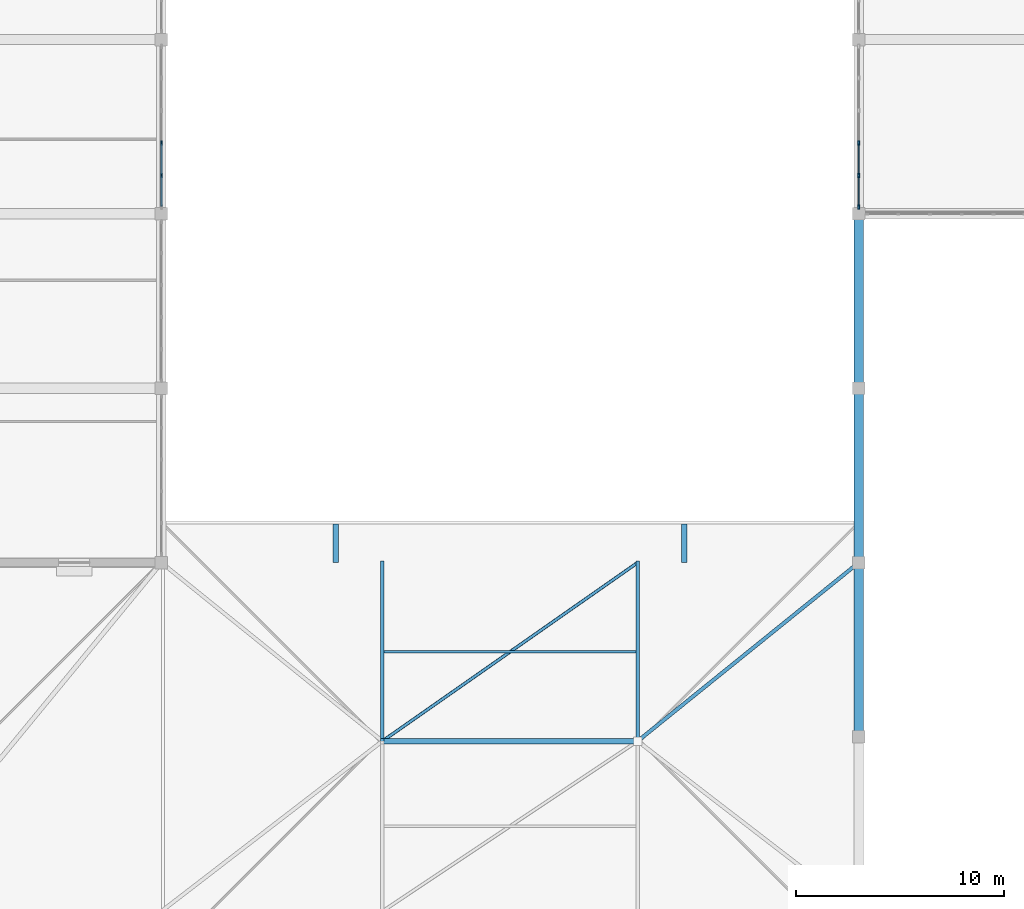
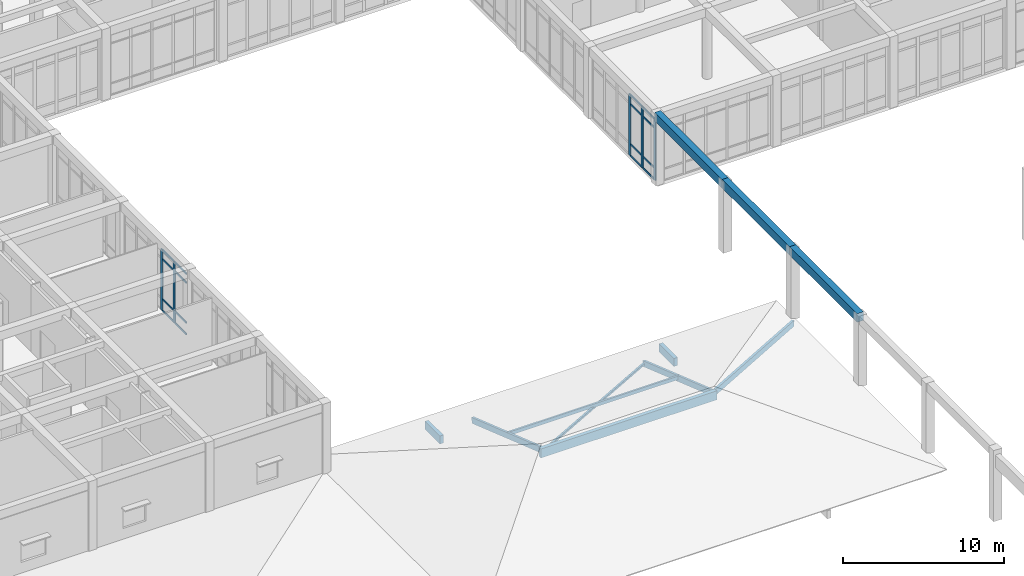
# One storey, part 7 of 89: 26 members, 6 beams, 2 elements without a shape of their own.
"""IFC4 building model written with IfcOpenShell, lengths in metres."""

from ifc_helpers import new_model, si_unit, direction, frame, origin, origin_2d, place, context, subcontext, project, spatial, rectangle, hollow_rectangle, extrude, material, material_profile, profile_set, type_object, element, aggregate, save


model = new_model("IFC4")

# Units and contexts
model_context = context("Model", 3, precision=1e-05, world=origin(), true_north=direction((0.0, 1.0)))
body_context = subcontext(model_context, "Body", "Model", "MODEL_VIEW")
ifc_project = project(units=[si_unit("LENGTHUNIT", "METRE"), si_unit("AREAUNIT", "SQUARE_METRE"), si_unit("VOLUMEUNIT", "CUBIC_METRE"), si_unit("PLANEANGLEUNIT", "RADIAN"), si_unit("MASSUNIT", "GRAM", prefix="KILO")], contexts=[model_context])

# Site, building, storey
site_placement = place(None, origin())
site = spatial("IfcSite", under=ifc_project, at=site_placement, CompositionType="ELEMENT")
building_placement = place(site_placement, origin())
building = spatial("IfcBuilding", under=site, at=building_placement, Name="Varncliffe General Hospital", CompositionType="ELEMENT")
storey_placement = place(building_placement, frame((0.0, 0.0, 10.800048828125)))
storey = spatial("IfcBuildingStorey", under=building, at=storey_placement, Name="L02", CompositionType="ELEMENT", Elevation=10.800048828125)

# Beams
ifc_material_1 = material(Name="Glulam GL28h (CSA O86 24f-EX, 30 MPa)", Category="wood")
ifc_material_profile_1 = material_profile(ifc_material_1, rectangle(XDim=0.264892578125, YDim=0.68408203125, at=origin_2d()), Name="GL 265x684")
ifc_profile_set_1 = profile_set([ifc_material_profile_1], Name="Glulam GL28h (CSA O86 24f-EX, 30 MPa)")
beam_type_1 = type_object("IfcBeamType", Name="Beam B72 (Int GL 265x684)", PredefinedType="BEAM", material=ifc_profile_set_1)
beam_1_placement = place(storey_placement, frame((35.68994140625, 32.199951171875, 3.008056640625), z_axis=(1.0, 0.0, 0.0), x_axis=(0.0, 1.0, 0.0)))
element("IfcBeam", 1, at=beam_1_placement, inside=storey, type_object=beam_type_1, Name="L02 RF-V2-S Glulam Ridge Girder", PredefinedType="BEAM", context=body_context, shape_type="SweptSolid", body=[
    extrude(rectangle(XDim=0.264892578125, YDim=0.68408203125, at=origin_2d()), origin(), (0.0, 0.0, 1.0), 12.6201171875),
])
ifc_material_profile_2 = material_profile(ifc_material_1, rectangle(XDim=0.264892578125, YDim=0.60791015625, at=origin_2d()), Name="GL 265x608")
ifc_profile_set_2 = profile_set([ifc_material_profile_2], Name="Glulam GL28h (CSA O86 24f-EX, 30 MPa)")
beam_type_2 = type_object("IfcBeamType", Name="Beam B82 (Ext GL 265x608)", PredefinedType="BEAM", material=ifc_profile_set_2)
for number, where, z_axis, x_axis, name in (
    (2, (33.60009765625, 40.800048828125, -0.495361328125), (0.0, 1.0, 0.0), (-1.0, 0.0, 0.0), "L02 RF-V2-S North Eave Lookout Bracket 1"),
    (3, (50.39990234375, 40.800048828125, -0.495361328125), (0.0, 1.0, 0.0), (-1.0, 0.0, 0.0), "L02 RF-V2-S North Eave Lookout Bracket 2"),
):
    element("IfcBeam", number, at=place(storey_placement, frame(where, z_axis=z_axis, x_axis=x_axis)), inside=storey, type_object=beam_type_2, Name=name, PredefinedType="BEAM", context=body_context, shape_type="SweptSolid", body=[
        extrude(rectangle(XDim=0.264892578125, YDim=0.60791015625, at=origin_2d()), origin(), (0.0, 0.0, 1.0), 1.85986328125),
    ])

# Curtain wall, members
ifc_material_2 = material(Name="Triple low-E argon insulated vision glazing", Category="glass")
curtain_wall_type = type_object("IfcCurtainWallType", Name="Unitised Glazed Curtain Wall CW85 (7804x4640)", PredefinedType="USERDEFINED", material=ifc_material_2)
curtain_wall_1_placement = place(storey_placement, origin())
curtain_wall_1 = element("IfcCurtainWall", 4, at=curtain_wall_1_placement, inside=storey, type_object=curtain_wall_type, Name="L02 Glazed Curtain Wall CW85-141", ObjectType="GLAZED CURTAIN WALL", PredefinedType="USERDEFINED")
ifc_material_3 = material(Name="Dark bronze thermally broken aluminium framing", Category="aluminium")
ifc_material_profile_3 = material_profile(ifc_material_3, rectangle(XDim=0.074951171875, YDim=0.219970703125, at=origin_2d()), Name="ALU 75x220")
ifc_profile_set_3 = profile_set([ifc_material_profile_3], Name="Dark bronze thermally broken aluminium framing")
member_type_1 = type_object("IfcMemberType", Name="Curtain Wall Mullion CM74 (ALU 75x220)", PredefinedType="MULLION", material=ifc_profile_set_3)
member_1_placement = place(storey_placement, frame((58.800048828125, 57.935546875, 0.0), z_axis=(0.0, 0.0, 1.0), x_axis=(-1.0, 0.0, 0.0)))
member_1 = element("IfcMember", 5, at=member_1_placement, type_object=member_type_1, Name="CW85 mullion 1", PredefinedType="MULLION", context=body_context, shape_type="SweptSolid", body=[
    extrude(rectangle(XDim=0.074951171875, YDim=0.219970703125, at=origin_2d()), origin(), (0.0, 0.0, 1.0), 4.639892578125),
])
member_2_placement = place(storey_placement, frame((58.800048828125, 59.458740234375, 0.0), z_axis=(0.0, 0.0, 1.0), x_axis=(-1.0, 0.0, 0.0)))
member_2 = element("IfcMember", 6, at=member_2_placement, type_object=member_type_1, Name="CW85 mullion 2", PredefinedType="MULLION", context=body_context, shape_type="SweptSolid", body=[
    extrude(rectangle(XDim=0.074951171875, YDim=0.219970703125, at=origin_2d()), origin(), (0.0, 0.0, 1.0), 4.639892578125),
])
member_3_placement = place(storey_placement, frame((58.800048828125, 61.01953125, 0.0), z_axis=(0.0, 0.0, 1.0), x_axis=(-1.0, 0.0, 0.0)))
member_3 = element("IfcMember", 7, at=member_3_placement, type_object=member_type_1, Name="CW85 mullion 3", PredefinedType="MULLION", context=body_context, shape_type="SweptSolid", body=[
    extrude(rectangle(XDim=0.074951171875, YDim=0.219970703125, at=origin_2d()), origin(), (0.0, 0.0, 1.0), 4.639892578125),
])

curtain_wall_2_placement = place(storey_placement, origin())
curtain_wall_2 = element("IfcCurtainWall", 8, at=curtain_wall_2_placement, inside=storey, type_object=curtain_wall_type, Name="L02 Glazed Curtain Wall CW85-150", ObjectType="GLAZED CURTAIN WALL", PredefinedType="USERDEFINED")
member_4_placement = place(storey_placement, frame((25.199951171875, 61.01953125, 0.0), z_axis=(0.0, 0.0, 1.0), x_axis=(1.0, 0.0, 0.0)))
member_4 = element("IfcMember", 9, at=member_4_placement, type_object=member_type_1, Name="CW85 mullion 4", PredefinedType="MULLION", context=body_context, shape_type="SweptSolid", body=[
    extrude(rectangle(XDim=0.074951171875, YDim=0.219970703125, at=origin_2d()), origin(), (0.0, 0.0, 1.0), 4.639892578125),
])
member_5_placement = place(storey_placement, frame((25.199951171875, 59.458740234375, 0.0), z_axis=(0.0, 0.0, 1.0), x_axis=(1.0, 0.0, 0.0)))
member_5 = element("IfcMember", 10, at=member_5_placement, type_object=member_type_1, Name="CW85 mullion 5", PredefinedType="MULLION", context=body_context, shape_type="SweptSolid", body=[
    extrude(rectangle(XDim=0.074951171875, YDim=0.219970703125, at=origin_2d()), origin(), (0.0, 0.0, 1.0), 4.639892578125),
])

# Member
ifc_material_profile_4 = material_profile(ifc_material_3, rectangle(XDim=0.06494140625, YDim=0.139892578125, at=origin_2d()), Name="ALU 65x140")
ifc_profile_set_4 = profile_set([ifc_material_profile_4], Name="Dark bronze thermally broken aluminium framing")
member_type_2 = type_object("IfcMemberType", Name="Curtain Wall Transom CT69 (ALU 65x140)", PredefinedType="USERDEFINED", material=ifc_profile_set_4)
member_6_placement = place(storey_placement, frame((58.800048828125, 57.972900390625, 0.032470703125), z_axis=(0.0, 1.0, 0.0), x_axis=(-1.0, 0.0, 0.0)))
member_6 = element("IfcMember", 11, at=member_6_placement, type_object=member_type_2, Name="CW85 transom 1.1", ObjectType="TRANSOM", PredefinedType="USERDEFINED", context=body_context, shape_type="SweptSolid", body=[
    extrude(rectangle(XDim=0.06494140625, YDim=0.139892578125, at=origin_2d()), origin(), (0.0, 0.0, 1.0), 1.448486328125),
])

member_7_placement = place(storey_placement, frame((58.800048828125, 57.972900390625, 0.89990234375), z_axis=(0.0, 1.0, 0.0), x_axis=(-1.0, 0.0, 0.0)))
member_7 = element("IfcMember", 12, at=member_7_placement, type_object=member_type_2, Name="CW85 transom 1.2", ObjectType="TRANSOM", PredefinedType="USERDEFINED", context=body_context, shape_type="SweptSolid", body=[
    extrude(rectangle(XDim=0.06494140625, YDim=0.139892578125, at=origin_2d()), origin(), (0.0, 0.0, 1.0), 1.448486328125),
])

member_8_placement = place(storey_placement, frame((58.800048828125, 57.972900390625, 3.93994140625), z_axis=(0.0, 1.0, 0.0), x_axis=(-1.0, 0.0, 0.0)))
member_8 = element("IfcMember", 13, at=member_8_placement, type_object=member_type_2, Name="CW85 transom 1.3", ObjectType="TRANSOM", PredefinedType="USERDEFINED", context=body_context, shape_type="SweptSolid", body=[
    extrude(rectangle(XDim=0.06494140625, YDim=0.139892578125, at=origin_2d()), origin(), (0.0, 0.0, 1.0), 1.448486328125),
])

member_9_placement = place(storey_placement, frame((58.800048828125, 57.972900390625, 4.607421875), z_axis=(0.0, 1.0, 0.0), x_axis=(-1.0, 0.0, 0.0)))
member_9 = element("IfcMember", 14, at=member_9_placement, type_object=member_type_2, Name="CW85 transom 1.4", ObjectType="TRANSOM", PredefinedType="USERDEFINED", context=body_context, shape_type="SweptSolid", body=[
    extrude(rectangle(XDim=0.06494140625, YDim=0.139892578125, at=origin_2d()), origin(), (0.0, 0.0, 1.0), 1.448486328125),
])

member_10_placement = place(storey_placement, frame((58.800048828125, 59.496337890625, 0.032470703125), z_axis=(0.0, 1.0, 0.0), x_axis=(-1.0, 0.0, 0.0)))
member_10 = element("IfcMember", 15, at=member_10_placement, type_object=member_type_2, Name="CW85 transom 2.1", ObjectType="TRANSOM", PredefinedType="USERDEFINED", context=body_context, shape_type="SweptSolid", body=[
    extrude(rectangle(XDim=0.06494140625, YDim=0.139892578125, at=origin_2d()), origin(), (0.0, 0.0, 1.0), 1.48583984375),
])

member_11_placement = place(storey_placement, frame((58.800048828125, 59.496337890625, 0.89990234375), z_axis=(0.0, 1.0, 0.0), x_axis=(-1.0, 0.0, 0.0)))
member_11 = element("IfcMember", 16, at=member_11_placement, type_object=member_type_2, Name="CW85 transom 2.2", ObjectType="TRANSOM", PredefinedType="USERDEFINED", context=body_context, shape_type="SweptSolid", body=[
    extrude(rectangle(XDim=0.06494140625, YDim=0.139892578125, at=origin_2d()), origin(), (0.0, 0.0, 1.0), 1.48583984375),
])

member_12_placement = place(storey_placement, frame((58.800048828125, 59.496337890625, 3.93994140625), z_axis=(0.0, 1.0, 0.0), x_axis=(-1.0, 0.0, 0.0)))
member_12 = element("IfcMember", 17, at=member_12_placement, type_object=member_type_2, Name="CW85 transom 2.3", ObjectType="TRANSOM", PredefinedType="USERDEFINED", context=body_context, shape_type="SweptSolid", body=[
    extrude(rectangle(XDim=0.06494140625, YDim=0.139892578125, at=origin_2d()), origin(), (0.0, 0.0, 1.0), 1.48583984375),
])

member_13_placement = place(storey_placement, frame((58.800048828125, 59.496337890625, 4.607421875), z_axis=(0.0, 1.0, 0.0), x_axis=(-1.0, 0.0, 0.0)))
member_13 = element("IfcMember", 18, at=member_13_placement, type_object=member_type_2, Name="CW85 transom 2.4", ObjectType="TRANSOM", PredefinedType="USERDEFINED", context=body_context, shape_type="SweptSolid", body=[
    extrude(rectangle(XDim=0.06494140625, YDim=0.139892578125, at=origin_2d()), origin(), (0.0, 0.0, 1.0), 1.48583984375),
])

aggregate(curtain_wall_1, [member_1, member_2, member_3, member_6, member_7, member_8, member_9, member_10, member_11, member_12, member_13])

member_14_placement = place(storey_placement, frame((25.199951171875, 60.982177734375, 0.032470703125), z_axis=(0.0, -1.0, 0.0), x_axis=(1.0, 0.0, 0.0)))
member_14 = element("IfcMember", 19, at=member_14_placement, type_object=member_type_2, Name="CW85 transom 4.1", ObjectType="TRANSOM", PredefinedType="USERDEFINED", context=body_context, shape_type="SweptSolid", body=[
    extrude(rectangle(XDim=0.06494140625, YDim=0.139892578125, at=origin_2d()), origin(), (0.0, 0.0, 1.0), 1.48583984375),
])

member_15_placement = place(storey_placement, frame((25.199951171875, 60.982177734375, 0.89990234375), z_axis=(0.0, -1.0, 0.0), x_axis=(1.0, 0.0, 0.0)))
member_15 = element("IfcMember", 20, at=member_15_placement, type_object=member_type_2, Name="CW85 transom 4.2", ObjectType="TRANSOM", PredefinedType="USERDEFINED", context=body_context, shape_type="SweptSolid", body=[
    extrude(rectangle(XDim=0.06494140625, YDim=0.139892578125, at=origin_2d()), origin(), (0.0, 0.0, 1.0), 1.48583984375),
])

member_16_placement = place(storey_placement, frame((25.199951171875, 60.982177734375, 3.93994140625), z_axis=(0.0, -1.0, 0.0), x_axis=(1.0, 0.0, 0.0)))
member_16 = element("IfcMember", 21, at=member_16_placement, type_object=member_type_2, Name="CW85 transom 4.3", ObjectType="TRANSOM", PredefinedType="USERDEFINED", context=body_context, shape_type="SweptSolid", body=[
    extrude(rectangle(XDim=0.06494140625, YDim=0.139892578125, at=origin_2d()), origin(), (0.0, 0.0, 1.0), 1.48583984375),
])

member_17_placement = place(storey_placement, frame((25.199951171875, 60.982177734375, 4.607421875), z_axis=(0.0, -1.0, 0.0), x_axis=(1.0, 0.0, 0.0)))
member_17 = element("IfcMember", 22, at=member_17_placement, type_object=member_type_2, Name="CW85 transom 4.4", ObjectType="TRANSOM", PredefinedType="USERDEFINED", context=body_context, shape_type="SweptSolid", body=[
    extrude(rectangle(XDim=0.06494140625, YDim=0.139892578125, at=origin_2d()), origin(), (0.0, 0.0, 1.0), 1.48583984375),
])

member_18_placement = place(storey_placement, frame((25.199951171875, 59.42138671875, 0.032470703125), z_axis=(0.0, -1.0, 0.0), x_axis=(1.0, 0.0, 0.0)))
member_18 = element("IfcMember", 23, at=member_18_placement, type_object=member_type_2, Name="CW85 transom 5.1", ObjectType="TRANSOM", PredefinedType="USERDEFINED", context=body_context, shape_type="SweptSolid", body=[
    extrude(rectangle(XDim=0.06494140625, YDim=0.139892578125, at=origin_2d()), origin(), (0.0, 0.0, 1.0), 1.448486328125),
])

member_19_placement = place(storey_placement, frame((25.199951171875, 59.42138671875, 0.89990234375), z_axis=(0.0, -1.0, 0.0), x_axis=(1.0, 0.0, 0.0)))
member_19 = element("IfcMember", 24, at=member_19_placement, type_object=member_type_2, Name="CW85 transom 5.2", ObjectType="TRANSOM", PredefinedType="USERDEFINED", context=body_context, shape_type="SweptSolid", body=[
    extrude(rectangle(XDim=0.06494140625, YDim=0.139892578125, at=origin_2d()), origin(), (0.0, 0.0, 1.0), 1.448486328125),
])

member_20_placement = place(storey_placement, frame((25.199951171875, 59.42138671875, 3.93994140625), z_axis=(0.0, -1.0, 0.0), x_axis=(1.0, 0.0, 0.0)))
member_20 = element("IfcMember", 25, at=member_20_placement, type_object=member_type_2, Name="CW85 transom 5.3", ObjectType="TRANSOM", PredefinedType="USERDEFINED", context=body_context, shape_type="SweptSolid", body=[
    extrude(rectangle(XDim=0.06494140625, YDim=0.139892578125, at=origin_2d()), origin(), (0.0, 0.0, 1.0), 1.448486328125),
])

member_21_placement = place(storey_placement, frame((25.199951171875, 59.42138671875, 4.607421875), z_axis=(0.0, -1.0, 0.0), x_axis=(1.0, 0.0, 0.0)))
member_21 = element("IfcMember", 26, at=member_21_placement, type_object=member_type_2, Name="CW85 transom 5.4", ObjectType="TRANSOM", PredefinedType="USERDEFINED", context=body_context, shape_type="SweptSolid", body=[
    extrude(rectangle(XDim=0.06494140625, YDim=0.139892578125, at=origin_2d()), origin(), (0.0, 0.0, 1.0), 1.448486328125),
])

aggregate(curtain_wall_2, [member_4, member_5, member_14, member_15, member_16, member_17, member_18, member_19, member_20, member_21])

# Members
ifc_material_profile_5 = material_profile(ifc_material_1, rectangle(XDim=0.1298828125, YDim=0.26611328125, at=origin_2d()), Name="GL 130x266")
ifc_profile_set_5 = profile_set([ifc_material_profile_5], Name="Glulam GL28h (CSA O86 24f-EX, 30 MPa)")
member_type_3 = type_object("IfcMemberType", Name="Member MB19 (PURLIN Int GL 130x266)", PredefinedType="PURLIN", material=ifc_profile_set_5)
member_22_placement = place(storey_placement, frame((35.85009765625, 36.5, 1.7705078125), z_axis=(1.0, 0.0, 0.0), x_axis=(0.0, 1.0, 0.0)))
element("IfcMember", 27, at=member_22_placement, inside=storey, type_object=member_type_3, Name="L02 RF-V2-S Timber Purlin N1", PredefinedType="PURLIN", context=body_context, shape_type="SweptSolid", body=[
    extrude(rectangle(XDim=0.1298828125, YDim=0.26611328125, at=origin_2d()), origin(), (0.0, 0.0, 1.0), 12.2998046875),
])
ifc_material_4 = material(Name="Steel S355 (CSA G40.21 350W)", Category="steel")
ifc_material_profile_6 = material_profile(ifc_material_4, hollow_rectangle(XDim=0.152099609375, YDim=0.152099609375, WallThickness=0.008056640625, InnerFilletRadius=0.008056640625, OuterFilletRadius=0.01611328125, at=origin_2d()), Name="HSS 152x152x8.0")
ifc_profile_set_6 = profile_set([ifc_material_profile_6], Name="Steel S355 (CSA G40.21 350W)")
member_type_4 = type_object("IfcMemberType", Name="Member MB64 (BRACE Int HSS 152x152x8.0)", PredefinedType="BRACE", material=ifc_profile_set_6)
member_23_placement = place(storey_placement, frame((48.14990234375, 40.800048828125, 0.199462890625), z_axis=(-0.805553534181, -0.563247891923, 0.183943784383), x_axis=(0.573025561685, -0.819537494966, 0.0)))
element("IfcMember", 28, at=member_23_placement, inside=storey, type_object=member_type_4, Name="L02 RF-V2-S Lateral Wind Brace 2", PredefinedType="BRACE", context=body_context, shape_type="SweptSolid", body=[
    extrude(hollow_rectangle(XDim=0.152099609375, YDim=0.152099609375, WallThickness=0.008056640625, InnerFilletRadius=0.008056640625, OuterFilletRadius=0.01611328125, at=origin_2d()), origin(), (0.0, 0.0, 1.0), 15.268798828125),
])
ifc_material_profile_7 = material_profile(ifc_material_1, rectangle(XDim=0.175048828125, YDim=0.41796875, at=origin_2d()), Name="GL 175x418")
ifc_profile_set_7 = profile_set([ifc_material_profile_7], Name="Glulam GL28h (CSA O86 24f-EX, 30 MPa)")
member_type_5 = type_object("IfcMemberType", Name="Member MB73 (RAFTER Int GL 175x418)", PredefinedType="RAFTER", material=ifc_profile_set_7)
member_24_placement = place(storey_placement, frame((58.800048828125, 40.800048828125, -0.484130859375), z_axis=(-0.751733189351, -0.6070354036, 0.257692124063), x_axis=(0.628253354172, -0.77800881934, 0.0)))
element("IfcMember", 29, at=member_24_placement, inside=storey, type_object=member_type_5, Name="L02 RF-V2-S Hip Rafter NE", PredefinedType="RAFTER", context=body_context, shape_type="SweptSolid", body=[
    extrude(rectangle(XDim=0.175048828125, YDim=0.41796875, at=origin_2d()), origin(), (0.0, 0.0, 1.0), 14.115478515625),
])
for number, where, z_axis, x_axis, name in (
    (30, (35.85009765625, 40.800048828125, 0.199462890625), (0.0, -0.945564997299, 0.325433304816), (1.0, 0.0, 0.0), "L02 RF-V2-S North Sloped Glulam Rafter 1"),
    (31, (48.14990234375, 40.800048828125, 0.199462890625), (0.0, -0.945564997299, 0.325433304816), (1.0, 0.0, 0.0), "L02 RF-V2-S North Sloped Glulam Rafter 2"),
):
    element("IfcMember", number, at=place(storey_placement, frame(where, z_axis=z_axis, x_axis=x_axis)), inside=storey, type_object=member_type_5, Name=name, PredefinedType="RAFTER", context=body_context, shape_type="SweptSolid", body=[
        extrude(rectangle(XDim=0.175048828125, YDim=0.41796875, at=origin_2d()), origin(), (0.0, 0.0, 1.0), 9.03173828125),
    ])

# Beams
ifc_material_5 = material(Name="Concrete C35/45 (CSA A23.1 35 MPa)", Category="concrete")
ifc_material_profile_8 = material_profile(ifc_material_5, rectangle(XDim=0.449951171875, YDim=0.64990234375, at=origin_2d()), Name="RC 450x650")
ifc_profile_set_8 = profile_set([ifc_material_profile_8], Name="Concrete C35/45 (CSA A23.1 35 MPa)")
beam_type_3 = type_object("IfcBeamType", Name="Spandrel SP38 (Ext RC 450x650B)", PredefinedType="SPANDREL", material=ifc_profile_set_8)
beam_2_placement = place(storey_placement, frame((58.800048828125, 32.39990234375, 5.074951171875), z_axis=(0.0, 1.0, 0.0), x_axis=(-1.0, 0.0, 0.0)))
element("IfcBeam", 32, at=beam_2_placement, inside=storey, type_object=beam_type_3, Name="L02 Spandrel Beam SP38-313", PredefinedType="SPANDREL", context=body_context, shape_type="SweptSolid", body=[
    extrude(rectangle(XDim=0.449951171875, YDim=0.64990234375, at=origin_2d()), origin(), (0.0, 0.0, 1.0), 8.400146484375),
])
beam_3_placement = place(storey_placement, frame((58.800048828125, 40.800048828125, 5.074951171875), z_axis=(0.0, 1.0, 0.0), x_axis=(-1.0, 0.0, 0.0)))
element("IfcBeam", 33, at=beam_3_placement, inside=storey, type_object=beam_type_3, Name="L02 Spandrel Beam SP38-314", PredefinedType="SPANDREL", context=body_context, shape_type="SweptSolid", body=[
    extrude(rectangle(XDim=0.449951171875, YDim=0.64990234375, at=origin_2d()), origin(), (0.0, 0.0, 1.0), 8.39990234375),
])
beam_4_placement = place(storey_placement, frame((58.800048828125, 49.199951171875, 5.074951171875), z_axis=(0.0, 1.0, 0.0), x_axis=(-1.0, 0.0, 0.0)))
element("IfcBeam", 34, at=beam_4_placement, inside=storey, type_object=beam_type_3, Name="L02 Spandrel Beam SP38-315", PredefinedType="SPANDREL", context=body_context, shape_type="SweptSolid", body=[
    extrude(rectangle(XDim=0.449951171875, YDim=0.64990234375, at=origin_2d()), origin(), (0.0, 0.0, 1.0), 8.400146484375),
])

save(model, "model.ifc")
